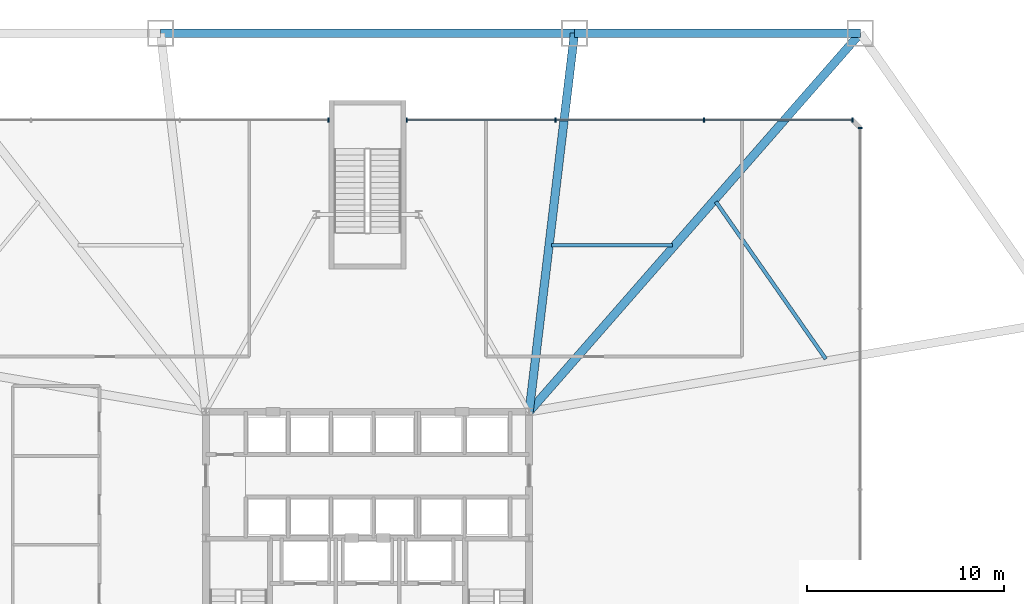
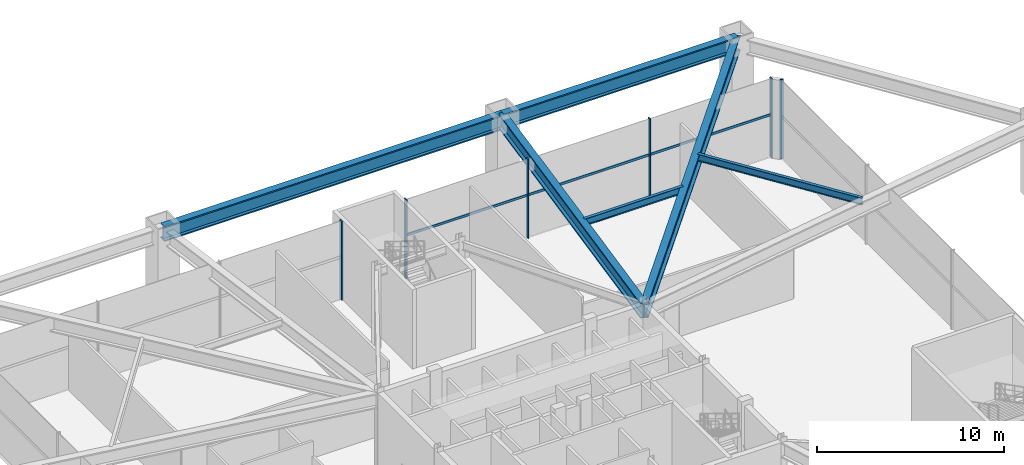
# One storey, part 12 of 18: 7 members, 6 beams, 3 elements without a shape of their own.
"""IFC4 building model written with IfcOpenShell, lengths in metres."""

import ifcopenshell
import ifcopenshell.guid

model = None  # the IFC model being written
_history = None  # IfcOwnerHistory: only IFC2X3 demands one
_inside = {}  # id of a spatial element -> (the spatial element, [elements in it])
_under = {}  # id of a project, library or spatial element -> (it, [spatial elements below it])
_declared = {}  # id of a project -> (the project, [libraries it declares])
_typed = {}  # id of a type object -> (the type object, [elements of that type])
_made_of = {}  # id of a material, layer set ... -> (it, [elements and type objects made of it])


def new_model(schema):
    """Start an empty IFC model of exactly this schema.

    Asked for "IFC4X3", IfcOpenShell would pick the latest addendum, in which some entities
    have other attributes; the version numbers below select the first issue.
    IFC2X3 requires an IfcOwnerHistory on every rooted entity: one is made here for all.
    """
    global model, _history
    if schema == "IFC4X3":
        model = ifcopenshell.file(schema_version=(4, 3, 0, 0))
    else:
        model = ifcopenshell.file(schema=schema)
    _inside.clear()
    _under.clear()
    _declared.clear()
    _typed.clear()
    _made_of.clear()
    _history = None
    if model.schema == "IFC2X3":
        org = make("IfcOrganization", Name="unknown")
        user = make(
            "IfcPersonAndOrganization",
            ThePerson=make("IfcPerson", FamilyName="unknown"),
            TheOrganization=org,
        )
        app = make(
            "IfcApplication",
            ApplicationDeveloper=org,
            Version="unknown",
            ApplicationFullName="unknown",
            ApplicationIdentifier="unknown",
        )
        _history = make(
            "IfcOwnerHistory",
            OwningUser=user,
            OwningApplication=app,
            ChangeAction="ADDED",
            CreationDate=0,
        )
    return model


def make(cls, **values):
    """One entity of the class cls with the attributes given. An attribute that is None is left unset."""
    return model.create_entity(
        cls, **{name: value for name, value in values.items() if value is not None}
    )


def rooted(cls, **values):
    """An entity with a GlobalId (a new one), such as an element, a storey or a relation."""
    return make(cls, GlobalId=ifcopenshell.guid.new(), OwnerHistory=_history, **values)


def si_unit(unit_type, name, prefix=None):
    """IfcSIUnit, for example si_unit("LENGTHUNIT", "METRE", prefix="MILLI")."""
    return make("IfcSIUnit", UnitType=unit_type, Prefix=prefix, Name=name)


def assignment(units):
    """IfcUnitAssignment: the units of a project."""
    return None if units is None else make("IfcUnitAssignment", Units=units)


def point(xyz):
    """IfcCartesianPoint."""
    return None if xyz is None else make("IfcCartesianPoint", Coordinates=xyz)


def direction(xyz):
    """IfcDirection."""
    return None if xyz is None else make("IfcDirection", DirectionRatios=xyz)


def frame(location, z_axis=None, x_axis=None):
    """IfcAxis2Placement3D, a coordinate frame: its origin and axes. An axis left out is left unset."""
    return make(
        "IfcAxis2Placement3D",
        Location=point(location),
        Axis=direction(z_axis),
        RefDirection=direction(x_axis),
    )


def frame_2d(location, x_axis=None):
    """IfcAxis2Placement2D, a coordinate frame in the plane: its origin and x axis."""
    return make(
        "IfcAxis2Placement2D", Location=point(location), RefDirection=direction(x_axis)
    )


def origin():
    """The frame at (0, 0, 0) with its axes left unset."""
    return frame((0.0, 0.0, 0.0))


def origin_2d():
    """The frame at (0, 0) in the plane with its x axis left unset."""
    return frame_2d((0.0, 0.0))


def place(relative_to, where):
    """IfcLocalPlacement: puts the frame where relative to a parent placement (None: the world)."""
    return make(
        "IfcLocalPlacement", PlacementRelTo=relative_to, RelativePlacement=where
    )


def context(
    kind, dimensions, precision=None, world=None, true_north=None, identifier=None
):
    """IfcGeometricRepresentationContext, for example the 3D "Model" context."""
    return make(
        "IfcGeometricRepresentationContext",
        ContextIdentifier=identifier,
        ContextType=kind,
        CoordinateSpaceDimension=dimensions,
        Precision=precision,
        WorldCoordinateSystem=world,
        TrueNorth=true_north,
    )


def subcontext(parent, identifier, kind, view, scale=None):
    """IfcGeometricRepresentationSubContext, for example "Body" below "Model"."""
    return make(
        "IfcGeometricRepresentationSubContext",
        ContextIdentifier=identifier,
        ContextType=kind,
        ParentContext=parent,
        TargetScale=scale,
        TargetView=view,
    )


def project(units=None, contexts=None):
    """IfcProject with its units and contexts."""
    return rooted(
        "IfcProject",
        Name="project",
        RepresentationContexts=contexts,
        UnitsInContext=assignment(units),
    )


def spatial(cls, under=None, at=None, **own):
    """A site, building, storey or space (cls), placed at a placement, below another one or the project."""
    s = rooted(cls, ObjectPlacement=at, **own)
    if under is not None:
        _under.setdefault(under.id(), (under, []))[1].append(s)
    return s


def profile(cls, at=None, kind="AREA", **sizes):
    """A parametric profile (cls). Its sizes go by their IFC names, for example OverallWidth=200.0."""
    return make(cls, ProfileType=kind, Position=at, **sizes)


def rectangle(**sizes):
    """IfcRectangleProfileDef."""
    return profile("IfcRectangleProfileDef", **sizes)


def i_section(**sizes):
    """IfcIShapeProfileDef."""
    return profile("IfcIShapeProfileDef", **sizes)


def extrude(swept, where, along, depth):
    """IfcExtrudedAreaSolid: the profile swept, set in the frame where, extruded along a direction by depth."""
    return make(
        "IfcExtrudedAreaSolid",
        SweptArea=swept,
        Position=where,
        ExtrudedDirection=direction(along),
        Depth=depth,
    )


def shape(context_of_items, identifier, shape_type, items):
    """IfcShapeRepresentation: the items that make up one representation, for example the "Body"."""
    return make(
        "IfcShapeRepresentation",
        ContextOfItems=context_of_items,
        RepresentationIdentifier=identifier,
        RepresentationType=shape_type,
        Items=items,
    )


def source(mapping_origin, context_of_items, identifier, shape_type, items):
    """IfcRepresentationMap: a shape defined once, which mapped items show again and again."""
    return make(
        "IfcRepresentationMap",
        MappingOrigin=mapping_origin,
        MappedRepresentation=shape(context_of_items, identifier, shape_type, items),
    )


def transform(
    local_origin,
    x_axis=None,
    y_axis=None,
    z_axis=None,
    scale=None,
    scale2=None,
    scale3=None,
    uniform=True,
):
    """IfcCartesianTransformationOperator3D, or its non-uniform kind. x_axis, y_axis, z_axis: its Axis1, 2, 3."""
    if uniform:
        return make(
            "IfcCartesianTransformationOperator3D",
            Axis1=direction(x_axis),
            Axis2=direction(y_axis),
            LocalOrigin=point(local_origin),
            Scale=scale,
            Axis3=direction(z_axis),
        )
    return make(
        "IfcCartesianTransformationOperator3DnonUniform",
        Axis1=direction(x_axis),
        Axis2=direction(y_axis),
        LocalOrigin=point(local_origin),
        Scale=scale,
        Axis3=direction(z_axis),
        Scale2=scale2,
        Scale3=scale3,
    )


def mapped(mapping_source, mapping_target):
    """IfcMappedItem: shows the shape of a source again, moved by a transform."""
    return make(
        "IfcMappedItem", MappingSource=mapping_source, MappingTarget=mapping_target
    )


def material(Name=None, Category=None):
    """IfcMaterial."""
    return make("IfcMaterial", Name=Name, Category=Category)


def layer(
    of_material, thickness, ventilated=None, Name=None, Category=None, Priority=None
):
    """IfcMaterialLayer: one layer of a wall or slab, of a material (None: an air gap)."""
    return make(
        "IfcMaterialLayer",
        Material=of_material,
        LayerThickness=thickness,
        IsVentilated=ventilated,
        Name=Name,
        Category=Category,
        Priority=Priority,
    )


def layer_set(layers, Name=None):
    """IfcMaterialLayerSet."""
    return make("IfcMaterialLayerSet", MaterialLayers=layers, LayerSetName=Name)


def material_profile(
    of_material, cross_section, Name=None, Category=None, Priority=None
):
    """IfcMaterialProfile: a cross section and its material."""
    return make(
        "IfcMaterialProfile",
        Name=Name,
        Material=of_material,
        Profile=cross_section,
        Priority=Priority,
        Category=Category,
    )


def profile_set(profiles, Name=None, composite=None):
    """IfcMaterialProfileSet."""
    return make(
        "IfcMaterialProfileSet",
        Name=Name,
        MaterialProfiles=profiles,
        CompositeProfile=composite,
    )


def made_of(thing, what):
    """Note that an element or type object is made of a material, layer set ...; save() writes the relation."""
    if what is not None:
        _made_of.setdefault(what.id(), (what, []))[1].append(thing)
    return thing


def type_object(cls, material=None, **own):
    """A type object (cls), such as IfcWallType, which elements share."""
    return made_of(rooted(cls, **own), material)


def type_shapes(of_type, sources):
    """Give a type object the sources (RepresentationMaps) that its elements show as mapped items."""
    of_type.RepresentationMaps = sources


def element(
    cls,
    number,
    at=None,
    inside=None,
    cuts=None,
    type_object=None,
    material=None,
    context=None,
    identifier="Body",
    shape_type=None,
    held_by="IfcProductDefinitionShape",
    body=None,
    shapes=None,
    **own,
):
    """One element of the class cls, such as IfcWall. Its Tag is "e" and its number.

    at: its placement. inside: the storey or other place that contains it. cuts: it is an
    opening in that element (IfcRelVoidsElement). A single representation is given by context,
    identifier, shape_type and body (its items); several are given by shapes. held_by: the class
    of the entity that holds the representations. save() writes the other relations.
    """
    e = rooted(cls, Tag="e%d" % number, ObjectPlacement=at, **own)
    if body is not None:
        shapes = [shape(context, identifier, shape_type, body)]
    if shapes is not None:
        e.Representation = make(held_by, Representations=shapes)
    if inside is not None:
        _inside.setdefault(inside.id(), (inside, []))[1].append(e)
    if cuts is not None:
        rooted(
            "IfcRelVoidsElement", RelatingBuildingElement=cuts, RelatedOpeningElement=e
        )
    if type_object is not None:
        _typed.setdefault(type_object.id(), (type_object, []))[1].append(e)
    return made_of(e, material)


def aggregate(whole, parts):
    """IfcRelAggregates: a whole, such as a stair, and the parts it consists of."""
    return rooted("IfcRelAggregates", RelatingObject=whole, RelatedObjects=parts)


def save(model, path):
    """Write the relations noted so far, then the file.

    IfcRelAggregates (storeys below a building ...), IfcRelContainedInSpatialStructure (elements
    in a storey), IfcRelDefinesByType, IfcRelAssociatesMaterial and IfcRelDeclares: one each for
    every whole, place, type object, material and project.
    """
    for whole, parts in _under.values():
        aggregate(whole, parts)
    for where, things in _inside.values():
        rooted(
            "IfcRelContainedInSpatialStructure",
            RelatedElements=things,
            RelatingStructure=where,
        )
    for kind, things in _typed.values():
        rooted("IfcRelDefinesByType", RelatedObjects=things, RelatingType=kind)
    for what, things in _made_of.values():
        rooted("IfcRelAssociatesMaterial", RelatedObjects=things, RelatingMaterial=what)
    for by, libraries in _declared.values():
        rooted("IfcRelDeclares", RelatingContext=by, RelatedDefinitions=libraries)
    model.write(path)


model = new_model("IFC4")

# Units and contexts
model_context = context("Model", 3, precision=1e-05, world=origin(), true_north=direction((0.0, 1.0)))
body_context = subcontext(model_context, "Body", "Model", "MODEL_VIEW")
ifc_project = project(units=[si_unit("LENGTHUNIT", "METRE"), si_unit("AREAUNIT", "SQUARE_METRE"), si_unit("VOLUMEUNIT", "CUBIC_METRE"), si_unit("PLANEANGLEUNIT", "RADIAN"), si_unit("MASSUNIT", "GRAM", prefix="KILO")], contexts=[model_context])

# Site, building, storey
site_placement = place(None, origin())
site = spatial("IfcSite", under=ifc_project, at=site_placement, CompositionType="ELEMENT")
building_placement = place(site_placement, origin())
building = spatial("IfcBuilding", under=site, at=building_placement, Name="Varakhsha Concourse Tower", CompositionType="ELEMENT")
storey_placement = place(building_placement, frame((0.0, 0.0, 5.5)))
storey = spatial("IfcBuildingStorey", under=building, at=storey_placement, Name="L02", CompositionType="ELEMENT", Elevation=5.5)

# Beams
ifc_material_1 = material(Name="Structural Steel ASTM A992 Grade 50", Category="steel")
ifc_material_profile_1 = material_profile(ifc_material_1, i_section(OverallWidth=0.19091796875, OverallDepth=0.45703125, WebThickness=0.009033203125, FlangeThickness=0.013916015625, at=origin_2d()), Name="W18X50")
ifc_profile_set_1 = profile_set([ifc_material_profile_1], Name="Structural Steel ASTM A992 Grade 50")
beam_type_1 = type_object("IfcBeamType", Name="BM-JST-W18X50", PredefinedType="JOIST", material=ifc_profile_set_1)
beam_1_placement = place(storey_placement, frame((63.251220703125, 33.87451171875, 4.951416015625), z_axis=(-0.572714673091, 0.819754782375, 0.0), x_axis=(-0.819754782375, -0.572714673091, 0.0)))
element("IfcBeam", 1, at=beam_1_placement, inside=storey, type_object=beam_type_1, Name="BM-PJST-L02-06", PredefinedType="JOIST", context=body_context, shape_type="SweptSolid", body=[
    extrude(i_section(OverallWidth=0.19091796875, OverallDepth=0.45703125, WebThickness=0.009033203125, FlangeThickness=0.013916015625, at=origin_2d()), origin(), (0.0, 0.0, 1.0), 9.7333984375),
])
beam_2_placement = place(storey_placement, frame((55.471923828125, 39.64794921875, 4.951416015625), z_axis=(-1.0, 0.0, 0.0), x_axis=(0.0, -1.0, 0.0)))
element("IfcBeam", 2, at=beam_2_placement, inside=storey, type_object=beam_type_1, Name="BM-PJST-L02-07", PredefinedType="JOIST", context=body_context, shape_type="SweptSolid", body=[
    extrude(i_section(OverallWidth=0.19091796875, OverallDepth=0.45703125, WebThickness=0.009033203125, FlangeThickness=0.013916015625, at=origin_2d()), origin(), (0.0, 0.0, 1.0), 6.139892578125),
])
ifc_material_profile_2 = material_profile(ifc_material_1, i_section(OverallWidth=0.427978515625, OverallDepth=0.97509765625, WebThickness=0.050048828125, FlangeThickness=0.0810546875, at=origin_2d()), Name="W36X395")
ifc_profile_set_2 = profile_set([ifc_material_profile_2], Name="Structural Steel ASTM A992 Grade 50")
beam_type_2 = type_object("IfcBeamType", Name="BM-XFER-W36X395", PredefinedType="USERDEFINED", material=ifc_profile_set_2)
beam_3_placement = place(storey_placement, frame((65.0, 50.39990234375, 4.6923828125), z_axis=(-1.0, 0.0, 0.0), x_axis=(0.0, -1.0, 0.0)))
element("IfcBeam", 3, at=beam_3_placement, inside=storey, type_object=beam_type_2, Name="BM-PRING-L02-07", ObjectType="GIRDER", PredefinedType="USERDEFINED", context=body_context, shape_type="SweptSolid", body=[
    extrude(i_section(OverallWidth=0.427978515625, OverallDepth=0.97509765625, WebThickness=0.050048828125, FlangeThickness=0.0810546875, at=origin_2d()), origin(), (0.0, 0.0, 1.0), 14.5),
])
beam_4_placement = place(storey_placement, frame((50.5, 50.39990234375, 4.6923828125), z_axis=(-1.0, 0.0, 0.0), x_axis=(0.0, -1.0, 0.0)))
element("IfcBeam", 4, at=beam_4_placement, inside=storey, type_object=beam_type_2, Name="BM-PRING-L02-08", ObjectType="GIRDER", PredefinedType="USERDEFINED", context=body_context, shape_type="SweptSolid", body=[
    extrude(i_section(OverallWidth=0.427978515625, OverallDepth=0.97509765625, WebThickness=0.050048828125, FlangeThickness=0.0810546875, at=origin_2d()), origin(), (0.0, 0.0, 1.0), 21.0),
])
beam_5_placement = place(storey_placement, frame((48.199951171875, 31.199951171875, 4.6923828125), z_axis=(0.658506640328, 0.7525749163, 0.0), x_axis=(-0.7525749163, 0.658506640328, 0.0)))
element("IfcBeam", 5, at=beam_5_placement, inside=storey, type_object=beam_type_2, Name="BM-PRAD-L02-07", ObjectType="GIRDER", PredefinedType="USERDEFINED", context=body_context, shape_type="SweptSolid", body=[
    extrude(i_section(OverallWidth=0.427978515625, OverallDepth=0.97509765625, WebThickness=0.050048828125, FlangeThickness=0.0810546875, at=origin_2d()), origin(), (0.0, 0.0, 1.0), 25.512451171875),
])
beam_6_placement = place(storey_placement, frame((48.199951171875, 31.199951171875, 4.6923828125), z_axis=(0.118944087656, 0.992900953777, 0.0), x_axis=(-0.992900953777, 0.118944087656, 0.0)))
element("IfcBeam", 6, at=beam_6_placement, inside=storey, type_object=beam_type_2, Name="BM-PRAD-L02-08", ObjectType="GIRDER", PredefinedType="USERDEFINED", context=body_context, shape_type="SweptSolid", body=[
    extrude(i_section(OverallWidth=0.427978515625, OverallDepth=0.97509765625, WebThickness=0.050048828125, FlangeThickness=0.0810546875, at=origin_2d()), origin(), (0.0, 0.0, 1.0), 19.337158203125),
])

# Curtain wall, member
ifc_material_2 = material(Name="Anodised Bronze Architectural Aluminium AA 6063-T6", Category="aluminium")
ifc_layer = layer(ifc_material_2, 0.239990234375, Name="CW-SYS-01")
ifc_layer_set = layer_set([ifc_layer], Name="Anodised Bronze Architectural Aluminium AA 6063-T6")
curtain_wall_type = type_object("IfcCurtainWallType", Name="CW-SYS-01", PredefinedType="NOTDEFINED", material=ifc_layer_set)
curtain_wall_1_placement = place(storey_placement, origin())
curtain_wall_1 = element("IfcCurtainWall", 7, at=curtain_wall_1_placement, inside=storey, type_object=curtain_wall_type, Name="L02 Mezzanine Curtain Wall 03", PredefinedType="NOTDEFINED")
ifc_material_profile_3 = material_profile(ifc_material_2, rectangle(XDim=0.074951171875, YDim=0.219970703125, at=origin_2d()), Name="CWM-220X75")
ifc_profile_set_3 = profile_set([ifc_material_profile_3], Name="Anodised Bronze Architectural Aluminium AA 6063-T6")
member_type_1 = type_object("IfcMemberType", Name="CWM-220X75", PredefinedType="MULLION", material=ifc_profile_set_3)
shared_shape_1 = source(origin(), body_context, "Body", "SweptSolid", [
    extrude(rectangle(XDim=0.074951171875, YDim=0.219970703125, at=origin_2d()), origin(), (0.0, 0.0, 1.0), 5.179931640625),
])
type_shapes(member_type_1, [shared_shape_1])
member_1_placement = place(storey_placement, frame((65.0, 45.60009765625, 0.0), z_axis=(0.0, 0.0, 1.0), x_axis=(0.0, 1.0, 0.0)))
member_1 = element("IfcMember", 8, at=member_1_placement, type_object=member_type_1, Name="CW-L02-03 Mullion 04", PredefinedType="MULLION", context=body_context, shape_type="MappedRepresentation", body=[
    mapped(shared_shape_1, transform((0.0, 0.0, 0.0), scale=1.0)),
])
aggregate(curtain_wall_1, [member_1])

# Curtain wall, members
curtain_wall_2_placement = place(storey_placement, origin())
curtain_wall_2 = element("IfcCurtainWall", 9, at=curtain_wall_2_placement, inside=storey, type_object=curtain_wall_type, Name="L02 Mezzanine Curtain Wall 05A", PredefinedType="NOTDEFINED")
member_2_placement = place(storey_placement, frame((64.60009765625, 46.0, 0.0), z_axis=(0.0, 0.0, 1.0), x_axis=(-1.0, 0.0, 0.0)))
member_2 = element("IfcMember", 10, at=member_2_placement, type_object=member_type_1, Name="CW-L02-05A Mullion 00", PredefinedType="MULLION", context=body_context, shape_type="MappedRepresentation", body=[
    mapped(shared_shape_1, transform((0.0, 0.0, 0.0), scale=1.0)),
])
member_3_placement = place(storey_placement, frame((57.063232421875, 46.0, 0.0), z_axis=(0.0, 0.0, 1.0), x_axis=(-1.0, 0.0, 0.0)))
member_3 = element("IfcMember", 11, at=member_3_placement, type_object=member_type_1, Name="CW-L02-05A Mullion 01", PredefinedType="MULLION", context=body_context, shape_type="MappedRepresentation", body=[
    mapped(shared_shape_1, transform((0.0, 0.0, 0.0), scale=1.0)),
])
member_4_placement = place(storey_placement, frame((49.526611328125, 46.0, 0.0), z_axis=(0.0, 0.0, 1.0), x_axis=(-1.0, 0.0, 0.0)))
member_4 = element("IfcMember", 12, at=member_4_placement, type_object=member_type_1, Name="CW-L02-05A Mullion 02", PredefinedType="MULLION", context=body_context, shape_type="MappedRepresentation", body=[
    mapped(shared_shape_1, transform((0.0, 0.0, 0.0), scale=1.0)),
])
member_5_placement = place(storey_placement, frame((41.989990234375, 46.0, 0.0), z_axis=(0.0, 0.0, 1.0), x_axis=(-1.0, 0.0, 0.0)))
member_5 = element("IfcMember", 13, at=member_5_placement, type_object=member_type_1, Name="CW-L02-05A Mullion 03", PredefinedType="MULLION", context=body_context, shape_type="MappedRepresentation", body=[
    mapped(shared_shape_1, transform((0.0, 0.0, 0.0), scale=1.0)),
])

# Curtain wall, member
curtain_wall_3_placement = place(storey_placement, origin())
curtain_wall_3 = element("IfcCurtainWall", 14, at=curtain_wall_3_placement, inside=storey, type_object=curtain_wall_type, Name="L02 Mezzanine Curtain Wall 05B", PredefinedType="NOTDEFINED")
member_6_placement = place(storey_placement, frame((38.010009765625, 46.0, 0.0), z_axis=(0.0, 0.0, 1.0), x_axis=(-1.0, 0.0, 0.0)))
member_6 = element("IfcMember", 15, at=member_6_placement, type_object=member_type_1, Name="CW-L02-05B Mullion 00", PredefinedType="MULLION", context=body_context, shape_type="MappedRepresentation", body=[
    mapped(shared_shape_1, transform((0.0, 0.0, 0.0), scale=1.0)),
])
aggregate(curtain_wall_3, [member_6])

# Member
ifc_material_profile_4 = material_profile(ifc_material_2, rectangle(XDim=0.06494140625, YDim=0.159912109375, at=origin_2d()), Name="CWT-160X65")
ifc_profile_set_4 = profile_set([ifc_material_profile_4], Name="Anodised Bronze Architectural Aluminium AA 6063-T6")
member_type_2 = type_object("IfcMemberType", Name="CWT-160X65", PredefinedType="USERDEFINED", material=ifc_profile_set_4)
shared_shape_2 = source(origin(), body_context, "Body", "SweptSolid", [
    extrude(rectangle(XDim=0.06494140625, YDim=0.159912109375, at=origin_2d()), origin(), (0.0, 0.0, 1.0), 22.610107421875),
])
type_shapes(member_type_2, [shared_shape_2])
member_7_placement = place(storey_placement, frame((64.60009765625, 46.0, 2.800048828125), z_axis=(-1.0, 0.0, 0.0), x_axis=(0.0, -1.0, 0.0)))
member_7 = element("IfcMember", 16, at=member_7_placement, type_object=member_type_2, Name="CW-L02-05A Transom 01", ObjectType="TRANSOM", PredefinedType="USERDEFINED", context=body_context, shape_type="MappedRepresentation", body=[
    mapped(shared_shape_2, transform((0.0, 0.0, 0.0), scale=1.0)),
])

aggregate(curtain_wall_2, [member_2, member_3, member_4, member_5, member_7])

save(model, "model.ifc")
